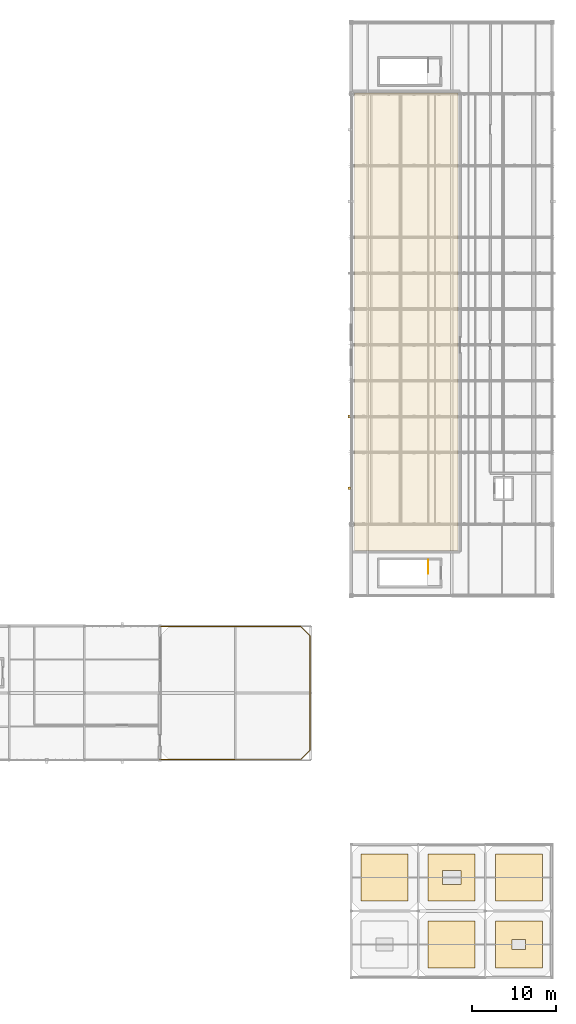
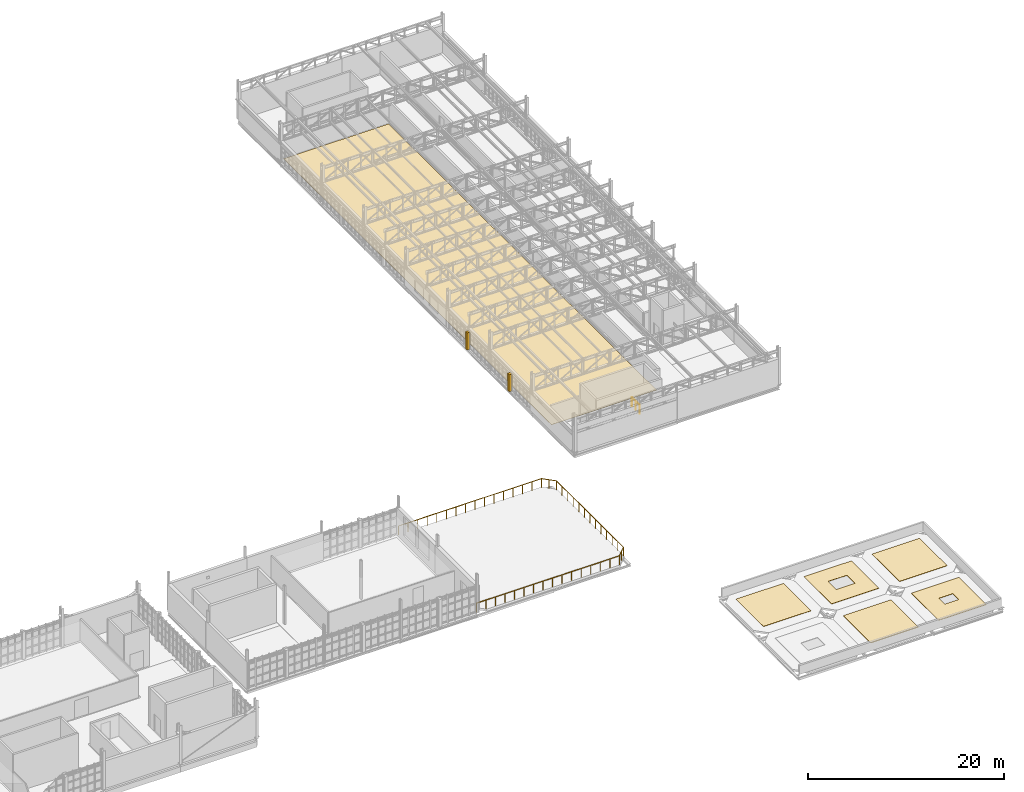
# One storey, part 127 of 128: 8 coverings, 2 railings.
"""IFC4 building model written with IfcOpenShell, lengths in metres."""

from ifc_helpers import new_model, si_unit, direction, frame, origin, origin_2d, place, context, subcontext, project, spatial, polyline, circle, outline, extrude, material, layer, layer_set, type_object, element, save


model = new_model("IFC4")

# Units and contexts
model_context = context("Model", 3, precision=1e-05, world=origin(), true_north=direction((0.0, 1.0)))
body_context = subcontext(model_context, "Body", "Model", "MODEL_VIEW")
ifc_project = project(units=[si_unit("LENGTHUNIT", "METRE"), si_unit("AREAUNIT", "SQUARE_METRE"), si_unit("VOLUMEUNIT", "CUBIC_METRE"), si_unit("PLANEANGLEUNIT", "RADIAN"), si_unit("MASSUNIT", "GRAM", prefix="KILO")], contexts=[model_context])

# Site, building, storey
site_placement = place(None, origin())
site = spatial("IfcSite", under=ifc_project, at=site_placement, CompositionType="ELEMENT")
building_placement = place(site_placement, origin())
building = spatial("IfcBuilding", under=site, at=building_placement, Name="Serraforn Aerial Cableway Station", CompositionType="ELEMENT")
storey_placement = place(building_placement, frame((0.0, 0.0, 9.0)))
storey = spatial("IfcBuildingStorey", under=building, at=storey_placement, Name="L02", CompositionType="ELEMENT", Elevation=9.0)

# Coverings
ifc_material_1 = material(Name="Fluted patinated bronze Art Deco pilaster cladding")
ifc_layer_1 = layer(ifc_material_1, 0.034912109375)
ifc_layer_set_1 = layer_set([ifc_layer_1], Name="Fluted patinated bronze Art Deco pilaster cladding")
covering_type_1 = type_object("IfcCoveringType", Name="COV-CLAD-BRZ", PredefinedType="CLADDING", material=ifc_layer_set_1)
covering_1_placement = place(storey_placement, origin())
element("IfcCovering", 1, at=covering_1_placement, inside=storey, type_object=covering_type_1, Name="Art Deco Bronze Pilaster Cladding EG-L02-W2", PredefinedType="CLADDING", context=body_context, shape_type="SweptSolid", body=[
    extrude(outline(polyline([(143.6201171875, 58.264892578125), (143.93994140625, 58.264892578125), (143.93994140625, 58.5849609375), (143.6201171875, 58.5849609375), (143.6201171875, 58.264892578125)])), origin(), (0.0, 0.0, 1.0), 2.1201171875),
])
covering_2_placement = place(storey_placement, origin())
element("IfcCovering", 2, at=covering_2_placement, inside=storey, type_object=covering_type_1, Name="Art Deco Bronze Pilaster Cladding EG-L02-W3", PredefinedType="CLADDING", context=body_context, shape_type="SweptSolid", body=[
    extrude(outline(polyline([(143.6201171875, 66.81494140625), (143.93994140625, 66.81494140625), (143.93994140625, 67.135009765625), (143.6201171875, 67.135009765625), (143.6201171875, 66.81494140625)])), origin(), (0.0, 0.0, 1.0), 2.1201171875),
])
ifc_material_2 = material(Name="Heavy-duty non-slip quartz epoxy floor")
ifc_layer_2 = layer(ifc_material_2, 0.014892578125)
ifc_layer_set_2 = layer_set([ifc_layer_2], Name="Heavy-duty non-slip quartz epoxy floor")
covering_type_2 = type_object("IfcCoveringType", Name="COV-FLR-EPOX", PredefinedType="FLOORING", material=ifc_layer_set_2)
covering_3_placement = place(storey_placement, origin())
element("IfcCovering", 3, at=covering_3_placement, inside=storey, type_object=covering_type_2, Name="Flooring L02-12", PredefinedType="FLOORING", context=body_context, shape_type="SweptSolid", body=[
    extrude(outline(polyline([(144.419921875, 51.02001953125), (144.419921875, 105.580078125), (156.780029296875, 105.580078125), (156.780029296875, 51.02001953125), (144.419921875, 51.02001953125)])), origin(), (0.0, 0.0, 1.0), 0.014892578125),
])
ifc_material_3 = material(Name="Standing-seam patinated copper roofing")
ifc_layer_3 = layer(ifc_material_3, 0.0400390625)
ifc_layer_set_3 = layer_set([ifc_layer_3], Name="Standing-seam patinated copper roofing")
covering_type_3 = type_object("IfcCoveringType", Name="COV-ROOF-COP", PredefinedType="ROOFING", material=ifc_layer_set_3)
covering_4_placement = place(storey_placement, origin())
element("IfcCovering", 4, at=covering_4_placement, inside=storey, type_object=covering_type_3, Name="Roof Covering ES-L02-1-2", PredefinedType="ROOFING", context=body_context, shape_type="SweptSolid", body=[
    extrude(outline(polyline([(145.199951171875, 9.199951171875), (150.800048828125, 9.199951171875), (150.800048828125, 14.800048828125), (145.199951171875, 14.800048828125), (145.199951171875, 9.199951171875)])), origin(), (0.0, 0.0, 1.0), 0.0400390625),
])
covering_5_placement = place(storey_placement, origin())
element("IfcCovering", 5, at=covering_5_placement, inside=storey, type_object=covering_type_3, Name="Roof Covering ES-L02-2-1", PredefinedType="ROOFING", context=body_context, shape_type="SweptSolid", body=[
    extrude(outline(polyline([(153.199951171875, 1.199951171875), (158.800048828125, 1.199951171875), (158.800048828125, 6.800048828125), (153.199951171875, 6.800048828125), (153.199951171875, 1.199951171875)])), origin(), (0.0, 0.0, 1.0), 0.0400390625),
])
covering_6_placement = place(storey_placement, origin())
element("IfcCovering", 6, at=covering_6_placement, inside=storey, type_object=covering_type_3, Name="Roof Covering ES-L02-2-2", PredefinedType="ROOFING", context=body_context, shape_type="SweptSolid", body=[
    extrude(outline(polyline([(153.199951171875, 9.199951171875), (158.800048828125, 9.199951171875), (158.800048828125, 14.800048828125), (153.199951171875, 14.800048828125), (153.199951171875, 9.199951171875)]), holes=[polyline([(154.89990234375, 11.175048828125), (157.10009765625, 11.175048828125), (157.10009765625, 12.824951171875), (154.89990234375, 12.824951171875), (154.89990234375, 11.175048828125)])]), origin(), (0.0, 0.0, 1.0), 0.0400390625),
])
covering_7_placement = place(storey_placement, origin())
element("IfcCovering", 7, at=covering_7_placement, inside=storey, type_object=covering_type_3, Name="Roof Covering ES-L02-3-1", PredefinedType="ROOFING", context=body_context, shape_type="SweptSolid", body=[
    extrude(outline(polyline([(161.199951171875, 1.199951171875), (166.800048828125, 1.199951171875), (166.800048828125, 6.800048828125), (161.199951171875, 6.800048828125), (161.199951171875, 1.199951171875)]), holes=[polyline([(163.199951171875, 3.39990234375), (164.800048828125, 3.39990234375), (164.800048828125, 4.60009765625), (163.199951171875, 4.60009765625), (163.199951171875, 3.39990234375)])]), origin(), (0.0, 0.0, 1.0), 0.0400390625),
])
covering_8_placement = place(storey_placement, origin())
element("IfcCovering", 8, at=covering_8_placement, inside=storey, type_object=covering_type_3, Name="Roof Covering ES-L02-3-2", PredefinedType="ROOFING", context=body_context, shape_type="SweptSolid", body=[
    extrude(outline(polyline([(161.199951171875, 9.199951171875), (166.800048828125, 9.199951171875), (166.800048828125, 14.800048828125), (161.199951171875, 14.800048828125), (161.199951171875, 9.199951171875)])), origin(), (0.0, 0.0, 1.0), 0.0400390625),
])

# Railings
ifc_material_4 = material(Name="Patinated bronze stair guardrail")
ifc_layer_4 = layer(ifc_material_4, 0.050048828125)
ifc_layer_set_4 = layer_set([ifc_layer_4], Name="Patinated bronze stair guardrail")
railing_type_1 = type_object("IfcRailingType", Name="RL-STR-GRD", PredefinedType="GUARDRAIL", material=ifc_layer_set_4)
railing_1_placement = place(storey_placement, frame((153.199951171875, 49.860107421875, 0.0)))
element("IfcRailing", 9, at=railing_1_placement, inside=storey, type_object=railing_type_1, Name="L02 ST-10 top well guard 1", PredefinedType="GUARDRAIL", context=body_context, shape_type="SweptSolid", body=[
    extrude(circle(Radius=0.02392578125, at=origin_2d()), frame((0.0, 0.0, 1.076171875), z_axis=(0.0, -1.0, 0.0), x_axis=(1.0, 0.0, 0.0)), (0.0, 0.0, 1.0), 1.610107421875),
    extrude(circle(Radius=0.02099609375, at=origin_2d()), origin(), (0.0, 0.0, 1.0), 1.052001953125),
    extrude(circle(Radius=0.02099609375, at=origin_2d()), frame((0.0, -0.80517578125, 0.0)), (0.0, 0.0, 1.0), 1.052001953125),
    extrude(circle(Radius=0.02099609375, at=origin_2d()), frame((0.0, -1.610107421875, 0.0)), (0.0, 0.0, 1.0), 1.052001953125),
])
ifc_material_5 = material(Name="Patinated bronze chevron Art Deco balustrade")
ifc_layer_5 = layer(ifc_material_5, 0.06005859375)
ifc_layer_set_5 = layer_set([ifc_layer_5], Name="Patinated bronze chevron Art Deco balustrade")
railing_type_2 = type_object("IfcRailingType", Name="RL-TER-GUARD", PredefinedType="BALUSTRADE", material=ifc_layer_set_5)
railing_2_placement = place(storey_placement, frame((121.199951171875, 26.080078125, 0.0)))
element("IfcRailing", 10, at=railing_2_placement, inside=storey, type_object=railing_type_2, Name="Balustrade Guard GD-TER-ELL02", PredefinedType="BALUSTRADE", context=body_context, shape_type="SweptSolid", body=[
    extrude(circle(Radius=0.02392578125, at=origin_2d()), frame((0.0, 0.0, 1.09619140625), z_axis=(1.0, 0.0, 0.0), x_axis=(0.0, 1.0, 0.0)), (0.0, 0.0, 1.0), 16.800048828125),
    extrude(circle(Radius=0.02392578125, at=origin_2d()), frame((16.800048828125, 0.0, 1.09619140625), z_axis=(0.707183845845, 0.707029708128, 0.0), x_axis=(-0.707029708128, 0.707183845845, 0.0)), (0.0, 0.0, 1.0), 1.583984375),
    extrude(circle(Radius=0.02392578125, at=origin_2d()), frame((17.920166015625, 1.119873046875, 1.09619140625), z_axis=(0.0, 1.0, 0.0), x_axis=(-1.0, 0.0, 0.0)), (0.0, 0.0, 1.0), 13.60009765625),
    extrude(circle(Radius=0.02392578125, at=origin_2d()), frame((17.920166015625, 14.719970703125, 1.09619140625), z_axis=(-0.707183845845, 0.707029708128, 0.0), x_axis=(-0.707029708128, -0.707183845845, 0.0)), (0.0, 0.0, 1.0), 1.583984375),
    extrude(circle(Radius=0.02392578125, at=origin_2d()), frame((16.800048828125, 15.83984375, 1.09619140625), z_axis=(-1.0, 0.0, 0.0), x_axis=(0.0, -1.0, 0.0)), (0.0, 0.0, 1.0), 16.800048828125),
    extrude(circle(Radius=0.02099609375, at=origin_2d()), origin(), (0.0, 0.0, 1.0), 1.072021484375),
    extrude(circle(Radius=0.02099609375, at=origin_2d()), frame((1.1201171875, 0.0, 0.0)), (0.0, 0.0, 1.0), 1.072021484375),
    extrude(circle(Radius=0.02099609375, at=origin_2d()), frame((2.239990234375, 0.0, 0.0)), (0.0, 0.0, 1.0), 1.072021484375),
    extrude(circle(Radius=0.02099609375, at=origin_2d()), frame((3.360107421875, 0.0, 0.0)), (0.0, 0.0, 1.0), 1.072021484375),
    extrude(circle(Radius=0.02099609375, at=origin_2d()), frame((4.47998046875, 0.0, 0.0)), (0.0, 0.0, 1.0), 1.072021484375),
    extrude(circle(Radius=0.02099609375, at=origin_2d()), frame((5.60009765625, 0.0, 0.0)), (0.0, 0.0, 1.0), 1.072021484375),
    extrude(circle(Radius=0.02099609375, at=origin_2d()), frame((6.719970703125, 0.0, 0.0)), (0.0, 0.0, 1.0), 1.072021484375),
    extrude(circle(Radius=0.02099609375, at=origin_2d()), frame((7.840087890625, 0.0, 0.0)), (0.0, 0.0, 1.0), 1.072021484375),
    extrude(circle(Radius=0.02099609375, at=origin_2d()), frame((8.9599609375, 0.0, 0.0)), (0.0, 0.0, 1.0), 1.072021484375),
    extrude(circle(Radius=0.02099609375, at=origin_2d()), frame((10.080078125, 0.0, 0.0)), (0.0, 0.0, 1.0), 1.072021484375),
    extrude(circle(Radius=0.02099609375, at=origin_2d()), frame((11.199951171875, 0.0, 0.0)), (0.0, 0.0, 1.0), 1.072021484375),
    extrude(circle(Radius=0.02099609375, at=origin_2d()), frame((12.320068359375, 0.0, 0.0)), (0.0, 0.0, 1.0), 1.072021484375),
    extrude(circle(Radius=0.02099609375, at=origin_2d()), frame((13.43994140625, 0.0, 0.0)), (0.0, 0.0, 1.0), 1.072021484375),
    extrude(circle(Radius=0.02099609375, at=origin_2d()), frame((14.56005859375, 0.0, 0.0)), (0.0, 0.0, 1.0), 1.072021484375),
    extrude(circle(Radius=0.02099609375, at=origin_2d()), frame((15.679931640625, 0.0, 0.0)), (0.0, 0.0, 1.0), 1.072021484375),
    extrude(circle(Radius=0.02099609375, at=origin_2d()), frame((16.800048828125, 0.0, 0.0)), (0.0, 0.0, 1.0), 1.072021484375),
    extrude(circle(Radius=0.02099609375, at=origin_2d()), frame((17.360107421875, 0.56005859375, 0.0)), (0.0, 0.0, 1.0), 1.072021484375),
    extrude(circle(Radius=0.02099609375, at=origin_2d()), frame((17.920166015625, 1.119873046875, 0.0)), (0.0, 0.0, 1.0), 1.072021484375),
    extrude(circle(Radius=0.02099609375, at=origin_2d()), frame((17.920166015625, 2.253173828125, 0.0)), (0.0, 0.0, 1.0), 1.072021484375),
    extrude(circle(Radius=0.02099609375, at=origin_2d()), frame((17.920166015625, 3.386474609375, 0.0)), (0.0, 0.0, 1.0), 1.072021484375),
    extrude(circle(Radius=0.02099609375, at=origin_2d()), frame((17.920166015625, 4.52001953125, 0.0)), (0.0, 0.0, 1.0), 1.072021484375),
    extrude(circle(Radius=0.02099609375, at=origin_2d()), frame((17.920166015625, 5.6533203125, 0.0)), (0.0, 0.0, 1.0), 1.072021484375),
    extrude(circle(Radius=0.02099609375, at=origin_2d()), frame((17.920166015625, 6.78662109375, 0.0)), (0.0, 0.0, 1.0), 1.072021484375),
    extrude(circle(Radius=0.02099609375, at=origin_2d()), frame((17.920166015625, 7.919921875, 0.0)), (0.0, 0.0, 1.0), 1.072021484375),
    extrude(circle(Radius=0.02099609375, at=origin_2d()), frame((17.920166015625, 9.05322265625, 0.0)), (0.0, 0.0, 1.0), 1.072021484375),
    extrude(circle(Radius=0.02099609375, at=origin_2d()), frame((17.920166015625, 10.1865234375, 0.0)), (0.0, 0.0, 1.0), 1.072021484375),
    extrude(circle(Radius=0.02099609375, at=origin_2d()), frame((17.920166015625, 11.31982421875, 0.0)), (0.0, 0.0, 1.0), 1.072021484375),
    extrude(circle(Radius=0.02099609375, at=origin_2d()), frame((17.920166015625, 12.453369140625, 0.0)), (0.0, 0.0, 1.0), 1.072021484375),
    extrude(circle(Radius=0.02099609375, at=origin_2d()), frame((17.920166015625, 13.586669921875, 0.0)), (0.0, 0.0, 1.0), 1.072021484375),
    extrude(circle(Radius=0.02099609375, at=origin_2d()), frame((17.920166015625, 14.719970703125, 0.0)), (0.0, 0.0, 1.0), 1.072021484375),
    extrude(circle(Radius=0.02099609375, at=origin_2d()), frame((17.360107421875, 15.27978515625, 0.0)), (0.0, 0.0, 1.0), 1.072021484375),
    extrude(circle(Radius=0.02099609375, at=origin_2d()), frame((16.800048828125, 15.83984375, 0.0)), (0.0, 0.0, 1.0), 1.072021484375),
    extrude(circle(Radius=0.02099609375, at=origin_2d()), frame((15.679931640625, 15.83984375, 0.0)), (0.0, 0.0, 1.0), 1.072021484375),
    extrude(circle(Radius=0.02099609375, at=origin_2d()), frame((14.56005859375, 15.83984375, 0.0)), (0.0, 0.0, 1.0), 1.072021484375),
    extrude(circle(Radius=0.02099609375, at=origin_2d()), frame((13.43994140625, 15.83984375, 0.0)), (0.0, 0.0, 1.0), 1.072021484375),
    extrude(circle(Radius=0.02099609375, at=origin_2d()), frame((12.320068359375, 15.83984375, 0.0)), (0.0, 0.0, 1.0), 1.072021484375),
    extrude(circle(Radius=0.02099609375, at=origin_2d()), frame((11.199951171875, 15.83984375, 0.0)), (0.0, 0.0, 1.0), 1.072021484375),
    extrude(circle(Radius=0.02099609375, at=origin_2d()), frame((10.080078125, 15.83984375, 0.0)), (0.0, 0.0, 1.0), 1.072021484375),
    extrude(circle(Radius=0.02099609375, at=origin_2d()), frame((8.9599609375, 15.83984375, 0.0)), (0.0, 0.0, 1.0), 1.072021484375),
    extrude(circle(Radius=0.02099609375, at=origin_2d()), frame((7.840087890625, 15.83984375, 0.0)), (0.0, 0.0, 1.0), 1.072021484375),
    extrude(circle(Radius=0.02099609375, at=origin_2d()), frame((6.719970703125, 15.83984375, 0.0)), (0.0, 0.0, 1.0), 1.072021484375),
    extrude(circle(Radius=0.02099609375, at=origin_2d()), frame((5.60009765625, 15.83984375, 0.0)), (0.0, 0.0, 1.0), 1.072021484375),
    extrude(circle(Radius=0.02099609375, at=origin_2d()), frame((4.47998046875, 15.83984375, 0.0)), (0.0, 0.0, 1.0), 1.072021484375),
    extrude(circle(Radius=0.02099609375, at=origin_2d()), frame((3.360107421875, 15.83984375, 0.0)), (0.0, 0.0, 1.0), 1.072021484375),
    extrude(circle(Radius=0.02099609375, at=origin_2d()), frame((2.239990234375, 15.83984375, 0.0)), (0.0, 0.0, 1.0), 1.072021484375),
    extrude(circle(Radius=0.02099609375, at=origin_2d()), frame((1.1201171875, 15.83984375, 0.0)), (0.0, 0.0, 1.0), 1.072021484375),
    extrude(circle(Radius=0.02099609375, at=origin_2d()), frame((0.0, 15.83984375, 0.0)), (0.0, 0.0, 1.0), 1.072021484375),
])

save(model, "model.ifc")
